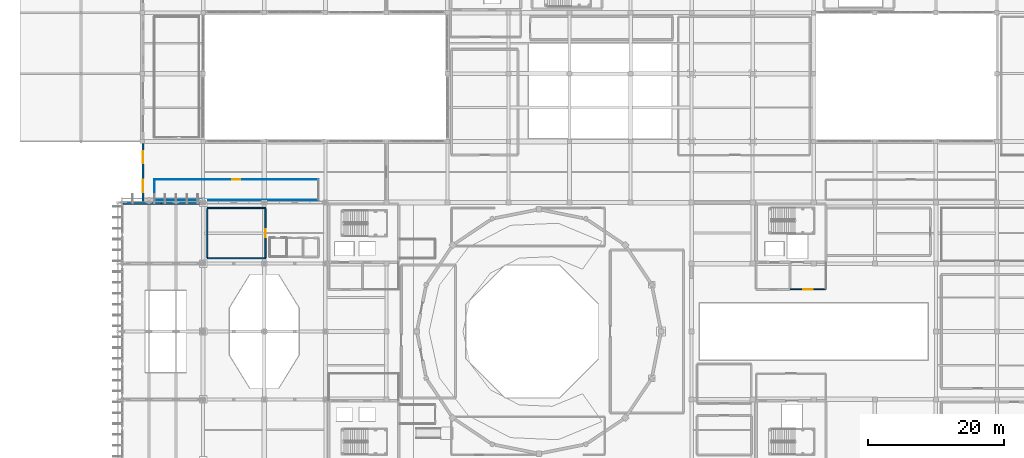
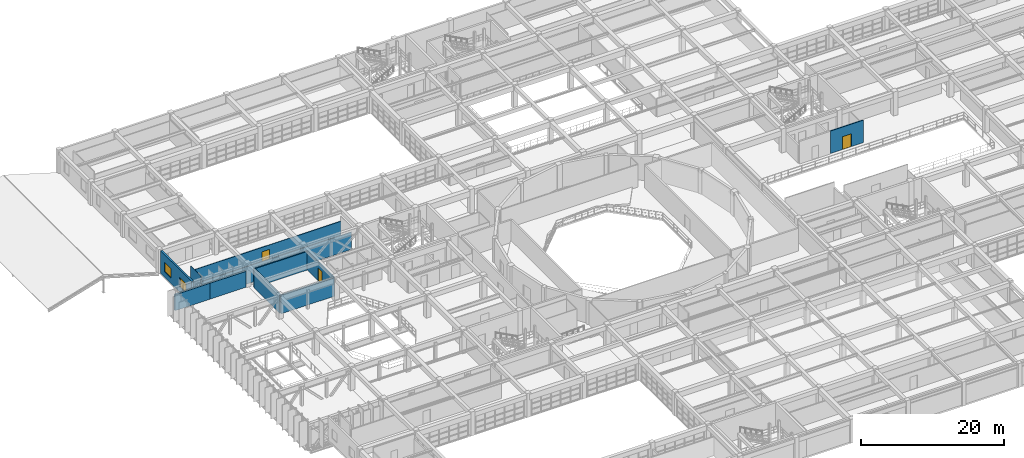
# One storey, part 112 of 130: 11 walls, 3 doors, 2 windows, 5 openings.
"""IFC4 building model written with IfcOpenShell, lengths in metres."""

from ifc_helpers import new_model, si_unit, direction, frame, frame_2d, origin, place, context, subcontext, project, spatial, rectangle, extrude, material, layer, layer_set, type_object, element, fill, save


model = new_model("IFC4")

# Units and contexts
model_context = context("Model", 3, precision=1e-05, world=origin(), true_north=direction((0.0, 1.0)))
body_context = subcontext(model_context, "Body", "Model", "MODEL_VIEW")
ifc_project = project(units=[si_unit("LENGTHUNIT", "METRE"), si_unit("AREAUNIT", "SQUARE_METRE"), si_unit("VOLUMEUNIT", "CUBIC_METRE"), si_unit("PLANEANGLEUNIT", "RADIAN"), si_unit("MASSUNIT", "GRAM", prefix="KILO")], contexts=[model_context])

# Site, building, storey
site_placement = place(None, origin())
site = spatial("IfcSite", under=ifc_project, at=site_placement, CompositionType="ELEMENT")
building_placement = place(site_placement, origin())
building = spatial("IfcBuilding", under=site, at=building_placement, Name="Miravela Opera House", CompositionType="ELEMENT")
storey_placement = place(building_placement, frame((0.0, 0.0, 9.52001953125)))
storey = spatial("IfcBuildingStorey", under=building, at=storey_placement, Name="L02", CompositionType="ELEMENT", Elevation=9.52001953125)

# Walls
ifc_material_1 = material(Name="Insulated bronze standing-seam acoustic wall")
ifc_layer_1 = layer(ifc_material_1, 0.260009765625)
ifc_layer_set_1 = layer_set([ifc_layer_1])
wall_type_1 = type_object("IfcWallType", Name="ARC-EW-CLAD-260", PredefinedType="STANDARD", material=ifc_layer_set_1)
wall_1_placement = place(storey_placement, frame((15.199951171875, 74.8701171875, 0.0), z_axis=(0.0, 0.0, 1.0), x_axis=(1.0, 0.0, 0.0)))
element("IfcWall", 1, at=wall_1_placement, inside=storey, type_object=wall_type_1, Name="Cantilever Truss CT-05 North Bronze Cladding Bay 1", PredefinedType="STANDARD", context=body_context, shape_type="SweptSolid", body=[
    extrude(rectangle(XDim=5.60009765625, YDim=0.260009765625, at=frame_2d((2.800048828125, 0.0))), origin(), (0.0, 0.0, 1.0), 2.7138671875),
])
wall_2_placement = place(storey_placement, frame((20.800048828125, 74.8701171875, 0.0), z_axis=(0.0, 0.0, 1.0), x_axis=(1.0, 0.0, 0.0)))
element("IfcWall", 2, at=wall_2_placement, inside=storey, type_object=wall_type_1, Name="Cantilever Truss CT-05 North Bronze Cladding Bay 2", PredefinedType="STANDARD", context=body_context, shape_type="SweptSolid", body=[
    extrude(rectangle(XDim=5.824951171875, YDim=0.260009765625, at=frame_2d((2.91259765625, 0.0))), origin(), (0.0, 0.0, 1.0), 2.7138671875),
])

# Wall, openings, windows
ifc_material_2 = material(Name="Insulated cream lime-stuccoed masonry", Category="masonry")
ifc_layer_2 = layer(ifc_material_2, 0.2900390625)
ifc_layer_set_2 = layer_set([ifc_layer_2])
wall_type_2 = type_object("IfcWallType", Name="ARC-EW-STUCCO-290", PredefinedType="STANDARD", material=ifc_layer_set_2)
wall_3_placement = place(storey_placement, frame((18.14990234375, 75.0, 0.0), z_axis=(0.0, 0.0, 1.0), x_axis=(0.0, 1.0, 0.0)))
wall_3 = element("IfcWall", 3, at=wall_3_placement, inside=storey, type_object=wall_type_2, Name="Spanish Colonial Stucco Facade Wall L02-026", PredefinedType="STANDARD", context=body_context, shape_type="SweptSolid", body=[
    extrude(rectangle(XDim=8.675048828125, YDim=0.2900390625, at=frame_2d((4.33740234375, 0.0))), origin(), (0.0, 0.0, 1.0), 3.840087890625),
])
opening_1_placement = place(wall_3_placement, frame((1.550048828125, 0.0, 0.89990234375)))
opening_1 = element("IfcOpeningElement", 4, at=opening_1_placement, cuts=wall_3, Name="Opening W-13", PredefinedType="OPENING", context=body_context, shape_type="SweptSolid", body=[
    extrude(rectangle(XDim=1.800048828125, YDim=1.60009765625, at=frame_2d((0.89990234375, 0.800048828125))), frame((0.0, 0.155029296875, 0.0), z_axis=(0.0, -1.0, 0.0), x_axis=(1.0, 0.0, 0.0)), (0.0, 0.0, 1.0), 0.31005859375),
])
opening_2_placement = place(wall_3_placement, frame((5.77490234375, 0.0, 0.89990234375)))
opening_2 = element("IfcOpeningElement", 5, at=opening_2_placement, cuts=wall_3, Name="Opening W-13", PredefinedType="OPENING", context=body_context, shape_type="SweptSolid", body=[
    extrude(rectangle(XDim=1.800048828125, YDim=1.60009765625, at=frame_2d((0.89990234375, 0.800048828125))), frame((0.0, 0.155029296875, 0.0), z_axis=(0.0, -1.0, 0.0), x_axis=(1.0, 0.0, 0.0)), (0.0, 0.0, 1.0), 0.31005859375),
])
ifc_material_3 = material(Name="Bronze-anodised aluminium and acoustic low-E glass", Category="aluminium")
window_type = type_object("IfcWindowType", Name="ARC-WIN-13", PartitioningType="DOUBLE_PANEL_VERTICAL", PredefinedType="WINDOW", material=ifc_material_3)
window_1_placement = place(opening_1_placement, origin())
window_1 = element("IfcWindow", 6, at=window_1_placement, inside=storey, type_object=window_type, Name="Window W-13 #075", OverallHeight=1.60009765625, OverallWidth=1.800048828125, PartitioningType="DOUBLE_PANEL_VERTICAL", PredefinedType="WINDOW", context=body_context, shape_type="SweptSolid", body=[
    extrude(rectangle(XDim=1.800048828125, YDim=1.60009765625, at=frame_2d((0.89990234375, 0.800048828125))), frame((0.0, 0.030029296875, 0.0), z_axis=(0.0, -1.0, 0.0), x_axis=(1.0, 0.0, 0.0)), (0.0, 0.0, 1.0), 0.06005859375),
])
fill(opening_1, window_1)
window_2_placement = place(opening_2_placement, origin())
window_2 = element("IfcWindow", 7, at=window_2_placement, inside=storey, type_object=window_type, Name="Window W-13 #076", OverallHeight=1.60009765625, OverallWidth=1.800048828125, PartitioningType="DOUBLE_PANEL_VERTICAL", PredefinedType="WINDOW", context=body_context, shape_type="SweptSolid", body=[
    extrude(rectangle(XDim=1.800048828125, YDim=1.60009765625, at=frame_2d((0.89990234375, 0.800048828125))), frame((0.0, 0.030029296875, 0.0), z_axis=(0.0, -1.0, 0.0), x_axis=(1.0, 0.0, 0.0)), (0.0, 0.0, 1.0), 0.06005859375),
])
fill(opening_2, window_2)

# Wall
ifc_material_4 = material(Name="Acoustic metal-stud gypsum partition")
ifc_layer_3 = layer(ifc_material_4, 0.090087890625)
ifc_layer_set_3 = layer_set([ifc_layer_3])
wall_type_3 = type_object("IfcWallType", Name="ARC-PT-090", PredefinedType="PARTITIONING", material=ifc_layer_set_3)
wall_4_placement = place(storey_placement, frame((19.800048828125, 75.39990234375, 0.0), z_axis=(0.0, 0.0, 1.0), x_axis=(1.0, 0.0, 0.0)))
element("IfcWall", 8, at=wall_4_placement, inside=storey, type_object=wall_type_3, Name="Repetiteur Coaching Studio Suite Partition South", PredefinedType="PARTITIONING", context=body_context, shape_type="SweptSolid", body=[
    extrude(rectangle(XDim=24.199951171875, YDim=0.090087890625, at=frame_2d((12.10009765625, 0.0))), origin(), (0.0, 0.0, 1.0), 2.969970703125),
])

# Wall, opening, door
wall_5_placement = place(storey_placement, frame((19.800048828125, 78.39990234375, 0.0), z_axis=(0.0, 0.0, 1.0), x_axis=(1.0, 0.0, 0.0)))
wall_5 = element("IfcWall", 9, at=wall_5_placement, inside=storey, type_object=wall_type_3, Name="Repetiteur Coaching Studio Suite Partition North", PredefinedType="PARTITIONING", context=body_context, shape_type="SweptSolid", body=[
    extrude(rectangle(XDim=24.199951171875, YDim=0.090087890625, at=frame_2d((12.10009765625, 0.0))), origin(), (0.0, 0.0, 1.0), 2.969970703125),
])
opening_3_placement = place(wall_5_placement, frame((11.5, 0.0, 0.0)))
opening_3 = element("IfcOpeningElement", 10, at=opening_3_placement, cuts=wall_5, Name="Opening ID-04", PredefinedType="OPENING", context=body_context, shape_type="SweptSolid", body=[
    extrude(rectangle(XDim=1.199951171875, YDim=2.199951171875, at=frame_2d((0.60009765625, 1.10009765625))), frame((0.0, 0.054931640625, 0.0), z_axis=(0.0, -1.0, 0.0), x_axis=(1.0, 0.0, 0.0)), (0.0, 0.0, 1.0), 0.110107421875),
])
ifc_material_5 = material(Name="Wide acoustic ensemble door")
door_type_1 = type_object("IfcDoorType", Name="ARC-DR-1200X2200", OperationType="NOTDEFINED", PredefinedType="DOOR", material=ifc_material_5)
door_1_placement = place(opening_3_placement, origin())
door_1 = element("IfcDoor", 11, at=door_1_placement, inside=storey, type_object=door_type_1, Name="Repetiteur Coaching Studio Suite Entry Door IDR-L02-0236", OperationType="SINGLE_SWING_RIGHT", OverallHeight=2.199951171875, OverallWidth=1.199951171875, PredefinedType="DOOR", context=body_context, shape_type="SweptSolid", body=[
    extrude(rectangle(XDim=1.199951171875, YDim=2.199951171875, at=frame_2d((0.60009765625, 1.10009765625))), frame((0.0, 0.02490234375, 0.0), z_axis=(0.0, -1.0, 0.0), x_axis=(1.0, 0.0, 0.0)), (0.0, 0.0, 1.0), 0.050048828125),
])
fill(opening_3, door_1)

# Wall
wall_6_placement = place(storey_placement, frame((19.800048828125, 75.445068359375, 0.0), z_axis=(0.0, 0.0, 1.0), x_axis=(0.0, 1.0, 0.0)))
element("IfcWall", 12, at=wall_6_placement, inside=storey, type_object=wall_type_3, Name="Repetiteur Coaching Studio Suite Partition West", PredefinedType="PARTITIONING", context=body_context, shape_type="SweptSolid", body=[
    extrude(rectangle(XDim=2.909912109375, YDim=0.090087890625, at=frame_2d((1.455078125, 0.0))), origin(), (0.0, 0.0, 1.0), 3.840087890625),
])

# Wall, opening, door
ifc_material_6 = material(Name="Fire-rated acoustic gypsum partition")
ifc_layer_4 = layer(ifc_material_6, 0.1298828125)
ifc_layer_set_4 = layer_set([ifc_layer_4])
wall_type_4 = type_object("IfcWallType", Name="ARC-PT-130", PredefinedType="PARTITIONING", material=ifc_layer_set_4)
wall_7_placement = place(storey_placement, frame((113.5, 62.199951171875, 0.0), z_axis=(0.0, 0.0, 1.0), x_axis=(1.0, 0.0, 0.0)))
wall_7 = element("IfcWall", 13, at=wall_7_placement, inside=storey, type_object=wall_type_4, Name="Passenger Lift Lobby K3 L02 Partition South", PredefinedType="PARTITIONING", context=body_context, shape_type="SweptSolid", body=[
    extrude(rectangle(XDim=5.300048828125, YDim=0.1298828125, at=frame_2d((2.64990234375, 0.0))), origin(), (0.0, 0.0, 1.0), 3.840087890625),
])
opening_4_placement = place(wall_7_placement, frame((1.949951171875, 0.0, 0.0)))
opening_4 = element("IfcOpeningElement", 14, at=opening_4_placement, cuts=wall_7, Name="Opening FD-03", PredefinedType="OPENING", context=body_context, shape_type="SweptSolid", body=[
    extrude(rectangle(XDim=1.39990234375, YDim=2.199951171875, at=frame_2d((0.699951171875, 1.10009765625))), frame((0.0, 0.074951171875, 0.0), z_axis=(0.0, -1.0, 0.0), x_axis=(1.0, 0.0, 0.0)), (0.0, 0.0, 1.0), 0.14990234375),
])
ifc_material_7 = material(Name="Fire-rated lobby/archive double door")
door_type_2 = type_object("IfcDoorType", Name="ARC-FD-1400X2200", OperationType="NOTDEFINED", PredefinedType="DOOR", material=ifc_material_7)
door_2_placement = place(opening_4_placement, frame((1.39990234375, 0.0, 0.0), z_axis=(0.0, 0.0, 1.0), x_axis=(-1.0, 0.0, 0.0)))
door_2 = element("IfcDoor", 15, at=door_2_placement, inside=storey, type_object=door_type_2, Name="Passenger Lift Lobby K3 L02 Entry Door IDR-L02-0217", OperationType="DOUBLE_DOOR_SINGLE_SWING", OverallHeight=2.199951171875, OverallWidth=1.39990234375, PredefinedType="DOOR", context=body_context, shape_type="SweptSolid", body=[
    extrude(rectangle(XDim=1.39990234375, YDim=2.199951171875, at=frame_2d((0.699951171875, 1.10009765625))), frame((0.0, 0.02490234375, 0.0), z_axis=(0.0, -1.0, 0.0), x_axis=(1.0, 0.0, 0.0)), (0.0, 0.0, 1.0), 0.050048828125),
])
fill(opening_4, door_2)

# Walls
ifc_material_8 = material(Name="Workshop fire-resisting block partition")
ifc_layer_5 = layer(ifc_material_8, 0.2099609375)
ifc_layer_set_5 = layer_set([ifc_layer_5])
wall_type_5 = type_object("IfcWallType", Name="ARC-PT-210", PredefinedType="PARTITIONING", material=ifc_layer_set_5)
for number, where, z_axis, x_axis, name in (
    (16, (27.60009765625, 66.800048828125, 0.0), (0.0, 0.0, 1.0), (1.0, 0.0, 0.0), "Chamber Opera Rehearsal Room Partition South"),
    (17, (27.60009765625, 74.199951171875, 0.0), (0.0, 0.0, 1.0), (1.0, 0.0, 0.0), "Chamber Opera Rehearsal Room Partition North"),
):
    element("IfcWall", number, at=place(storey_placement, frame(where, z_axis=z_axis, x_axis=x_axis)), inside=storey, type_object=wall_type_5, Name=name, PredefinedType="PARTITIONING", context=body_context, shape_type="SweptSolid", body=[
        extrude(rectangle(XDim=8.599853515625, YDim=0.2099609375, at=frame_2d((4.2998046875, 0.0))), origin(), (0.0, 0.0, 1.0), 3.169921875),
    ])
wall_8_placement = place(storey_placement, frame((27.60009765625, 66.905029296875, 0.0), z_axis=(0.0, 0.0, 1.0), x_axis=(0.0, 1.0, 0.0)))
element("IfcWall", 18, at=wall_8_placement, inside=storey, type_object=wall_type_5, Name="Chamber Opera Rehearsal Room Partition West", PredefinedType="PARTITIONING", context=body_context, shape_type="SweptSolid", body=[
    extrude(rectangle(XDim=7.18994140625, YDim=0.2099609375, at=frame_2d((3.594970703125, 0.0))), origin(), (0.0, 0.0, 1.0), 3.219970703125),
])

# Wall, opening, door
wall_9_placement = place(storey_placement, frame((36.199951171875, 66.905029296875, 0.0), z_axis=(0.0, 0.0, 1.0), x_axis=(0.0, 1.0, 0.0)))
wall_9 = element("IfcWall", 19, at=wall_9_placement, inside=storey, type_object=wall_type_5, Name="Chamber Opera Rehearsal Room Partition East", PredefinedType="PARTITIONING", context=body_context, shape_type="SweptSolid", body=[
    extrude(rectangle(XDim=7.18994140625, YDim=0.2099609375, at=frame_2d((3.594970703125, 0.0))), origin(), (0.0, 0.0, 1.0), 3.169921875),
])
opening_5_placement = place(wall_9_placement, frame((2.9951171875, 0.0, 0.0)))
opening_5 = element("IfcOpeningElement", 20, at=opening_5_placement, cuts=wall_9, Name="Opening ID-04", PredefinedType="OPENING", context=body_context, shape_type="SweptSolid", body=[
    extrude(rectangle(XDim=1.199951171875, YDim=2.199951171875, at=frame_2d((0.60009765625, 1.10009765625))), frame((0.0, 0.114990234375, 0.0), z_axis=(0.0, -1.0, 0.0), x_axis=(1.0, 0.0, 0.0)), (0.0, 0.0, 1.0), 0.22998046875),
])
door_3_placement = place(opening_5_placement, frame((1.199951171875, 0.0, 0.0), z_axis=(0.0, 0.0, 1.0), x_axis=(-1.0, 0.0, 0.0)))
door_3 = element("IfcDoor", 21, at=door_3_placement, inside=storey, type_object=door_type_1, Name="Chamber Opera Rehearsal Room Entry Door IDR-L02-0251", OperationType="SINGLE_SWING_LEFT", OverallHeight=2.199951171875, OverallWidth=1.199951171875, PredefinedType="DOOR", context=body_context, shape_type="SweptSolid", body=[
    extrude(rectangle(XDim=1.199951171875, YDim=2.199951171875, at=frame_2d((0.60009765625, 1.10009765625))), frame((0.0, 0.02490234375, 0.0), z_axis=(0.0, -1.0, 0.0), x_axis=(1.0, 0.0, 0.0)), (0.0, 0.0, 1.0), 0.050048828125),
])
fill(opening_5, door_3)

save(model, "model.ifc")
